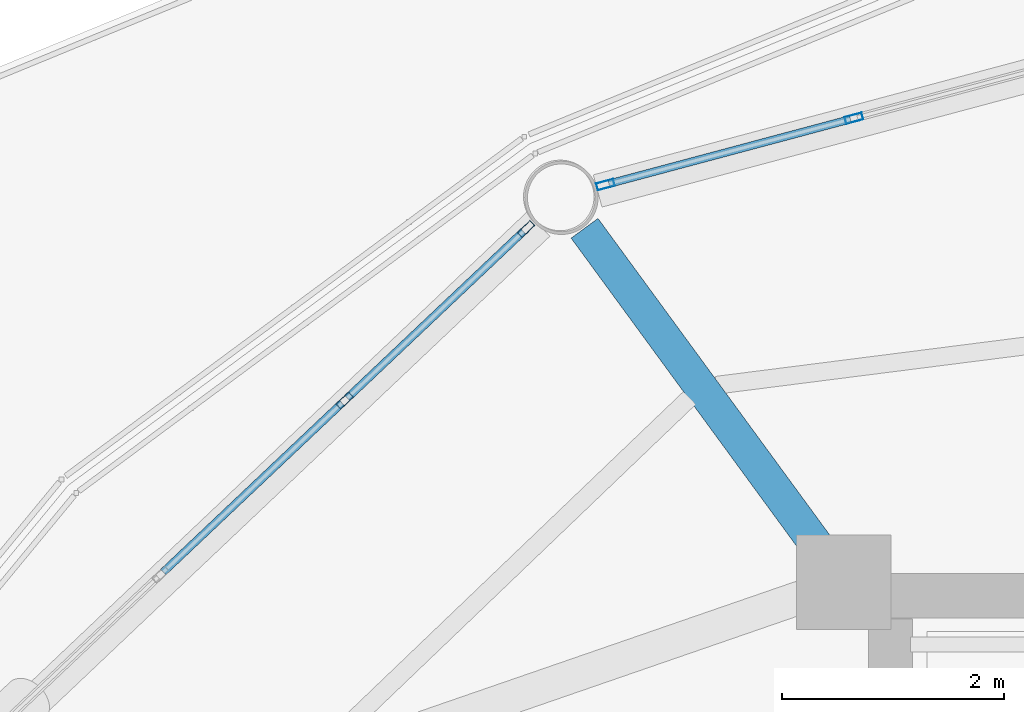
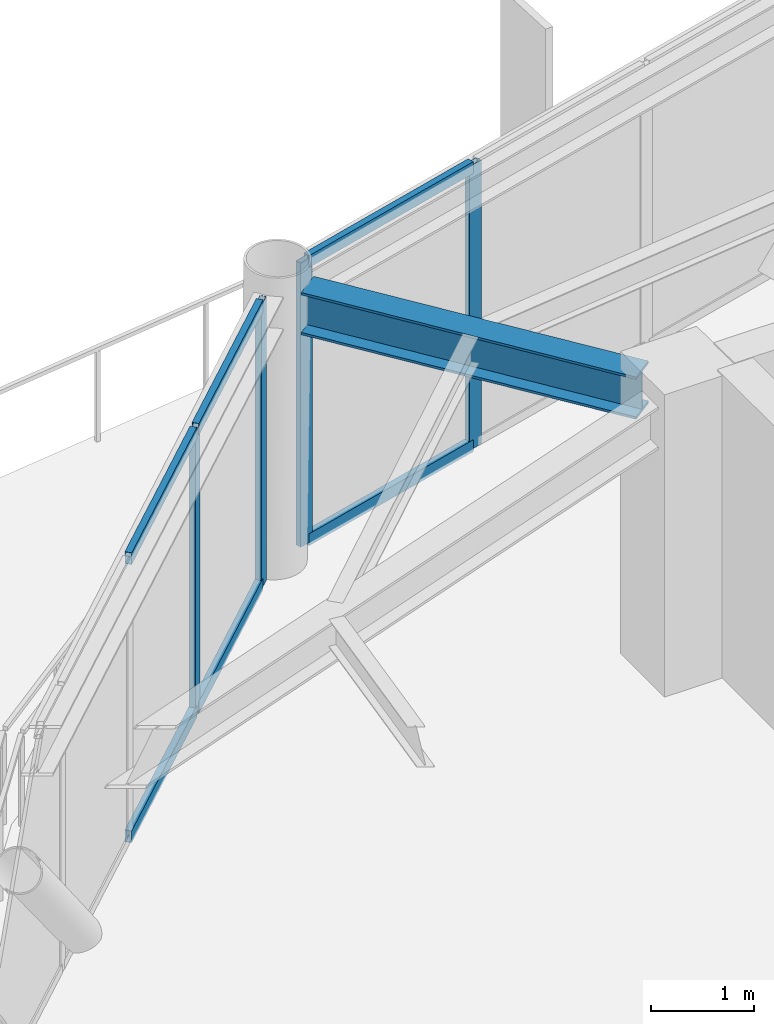
# One storey, part 16 of 25: 10 members, 1 beam, 2 elements without a shape of their own.
"""IFC4 building model written with IfcOpenShell, lengths in metres."""

from ifc_helpers import new_model, si_unit, direction, frame, origin, origin_2d, place, context, subcontext, project, spatial, hollow_rectangle, i_section, extrude, material, layer, layer_set, material_profile, profile_set, type_object, element, aggregate, save


model = new_model("IFC4")

# Units and contexts
model_context = context("Model", 3, precision=1e-05, world=origin(), true_north=direction((0.0, 1.0)))
body_context = subcontext(model_context, "Body", "Model", "MODEL_VIEW")
ifc_project = project(units=[si_unit("LENGTHUNIT", "METRE"), si_unit("AREAUNIT", "SQUARE_METRE"), si_unit("VOLUMEUNIT", "CUBIC_METRE"), si_unit("PLANEANGLEUNIT", "RADIAN"), si_unit("MASSUNIT", "GRAM", prefix="KILO")], contexts=[model_context])

# Site, building, storey
site_placement = place(None, origin())
site = spatial("IfcSite", under=ifc_project, at=site_placement, CompositionType="ELEMENT")
building_placement = place(site_placement, origin())
building = spatial("IfcBuilding", under=site, at=building_placement, Name="Varnakorn Sky Granary", CompositionType="ELEMENT")
storey_placement = place(building_placement, frame((0.0, 0.0, 178.800048828125)))
storey = spatial("IfcBuildingStorey", under=building, at=storey_placement, Name="L44", CompositionType="ELEMENT", Elevation=178.800048828125)

# Beam
ifc_material_1 = material(Name="Steel S355JR", Category="steel")
ifc_material_profile_1 = material_profile(ifc_material_1, i_section(OverallWidth=0.300048828125, OverallDepth=0.5, WebThickness=0.014404296875, FlangeThickness=0.028076171875, at=origin_2d()), Name="HE 500 B")
ifc_profile_set_1 = profile_set([ifc_material_profile_1], Name="Steel S355JR")
beam_type = type_object("IfcBeamType", Name="BM-RAD-Z4", PredefinedType="BEAM", material=ifc_profile_set_1)
beam_placement = place(storey_placement, frame((-2.6591796875, 12.94677734375, 3.10986328125), z_axis=(-0.590706834815, 0.806886259211, 0.0), x_axis=(-0.806886259211, -0.590706834815, 0.0)))
element("IfcBeam", 1, at=beam_placement, inside=storey, type_object=beam_type, Name="Radial Floor Girder RG05 L44", PredefinedType="BEAM", context=body_context, shape_type="SweptSolid", body=[
    extrude(i_section(OverallWidth=0.300048828125, OverallDepth=0.5, WebThickness=0.014404296875, FlangeThickness=0.028076171875, at=origin_2d()), origin(), (0.0, 0.0, 1.0), 3.546142578125),
])

# Curtain wall, members
ifc_material_2 = material(Name="Anodised Bronze Aluminium Alloy 6063-T6", Category="aluminium")
ifc_layer = layer(ifc_material_2, 0.169921875, Name="Anodised Bronze Aluminium Alloy 6063-T6")
ifc_layer_set = layer_set([ifc_layer], Name="Anodised Bronze Aluminium Alloy 6063-T6")
curtain_wall_type = type_object("IfcCurtainWallType", Name="CW-LAB-1", PredefinedType="USERDEFINED", material=ifc_layer_set)
curtain_wall_1_placement = place(storey_placement, origin())
curtain_wall_1 = element("IfcCurtainWall", 2, at=curtain_wall_1_placement, inside=storey, type_object=curtain_wall_type, Name="Unitised Curtain Wall CW5 CW-L44-B04", ObjectType="CURTAIN WALL", PredefinedType="USERDEFINED")
ifc_material_profile_2 = material_profile(ifc_material_2, hollow_rectangle(XDim=0.06494140625, YDim=0.159912109375, WallThickness=0.00341796875, at=origin_2d()), Name="ALU MULL 65x160")
ifc_profile_set_2 = profile_set([ifc_material_profile_2], Name="Anodised Bronze Aluminium Alloy 6063-T6")
member_type_1 = type_object("IfcMemberType", Name="CW-LAB-1-MULL", PredefinedType="MULLION", material=ifc_profile_set_2)
member_1_placement = place(storey_placement, frame((-4.565185546875, 16.20068359375, 0.0), z_axis=(0.0, 0.0, 1.0), x_axis=(-0.258096215547, 0.966119218068, 0.0)))
member_1 = element("IfcMember", 3, at=member_1_placement, type_object=member_type_1, Name="CW5 mullion 1", PredefinedType="MULLION", context=body_context, shape_type="SweptSolid", body=[
    extrude(hollow_rectangle(XDim=0.06494140625, YDim=0.159912109375, WallThickness=0.00341796875, at=origin_2d()), origin(), (0.0, 0.0, 1.0), 3.35986328125),
])
member_2_placement = place(storey_placement, frame((-2.329345703125, 16.798095703125, 0.0), z_axis=(0.0, 0.0, 1.0), x_axis=(-0.258096215547, 0.966119218068, 0.0)))
member_2 = element("IfcMember", 4, at=member_2_placement, type_object=member_type_1, Name="CW5 mullion 2", PredefinedType="MULLION", context=body_context, shape_type="SweptSolid", body=[
    extrude(hollow_rectangle(XDim=0.06494140625, YDim=0.159912109375, WallThickness=0.00341796875, at=origin_2d()), origin(), (0.0, 0.0, 1.0), 3.35986328125),
])

curtain_wall_2_placement = place(storey_placement, origin())
curtain_wall_2 = element("IfcCurtainWall", 5, at=curtain_wall_2_placement, inside=storey, type_object=curtain_wall_type, Name="Unitised Curtain Wall CW5 CW-L44-B05", ObjectType="CURTAIN WALL", PredefinedType="USERDEFINED")
member_3_placement = place(storey_placement, frame((-6.9130859375, 14.25732421875, 0.0), z_axis=(0.0, 0.0, 1.0), x_axis=(-0.687123508986, 0.726540627494, 0.0)))
member_3 = element("IfcMember", 6, at=member_3_placement, type_object=member_type_1, Name="CW5 mullion 4", PredefinedType="MULLION", context=body_context, shape_type="SweptSolid", body=[
    extrude(hollow_rectangle(XDim=0.06494140625, YDim=0.159912109375, WallThickness=0.00341796875, at=origin_2d()), origin(), (0.0, 0.0, 1.0), 3.35986328125),
])
member_4_placement = place(storey_placement, frame((-5.280517578125, 15.80126953125, 0.0), z_axis=(0.0, 0.0, 1.0), x_axis=(-0.687123508986, 0.726540627494, 0.0)))
member_4 = element("IfcMember", 7, at=member_4_placement, type_object=member_type_1, Name="CW5 mullion 5", PredefinedType="MULLION", context=body_context, shape_type="SweptSolid", body=[
    extrude(hollow_rectangle(XDim=0.06494140625, YDim=0.159912109375, WallThickness=0.00341796875, at=origin_2d()), origin(), (0.0, 0.0, 1.0), 3.35986328125),
])

# Member
ifc_material_profile_3 = material_profile(ifc_material_2, hollow_rectangle(XDim=0.070068359375, YDim=0.139892578125, WallThickness=0.00341796875, at=origin_2d()), Name="ALU TRAN 70x140")
ifc_profile_set_3 = profile_set([ifc_material_profile_3], Name="Anodised Bronze Aluminium Alloy 6063-T6")
member_type_2 = type_object("IfcMemberType", Name="CW-LAB-1-TRAN", PredefinedType="USERDEFINED", material=ifc_profile_set_3)
member_5_placement = place(storey_placement, frame((-4.533935546875, 16.208984375, 0.034912109375), z_axis=(0.966123167774, 0.258081430349, 0.0), x_axis=(-0.258081430349, 0.966123167774, 0.0)))
member_5 = element("IfcMember", 8, at=member_5_placement, type_object=member_type_2, Name="CW5 transom 1.1", ObjectType="TRANSOM", PredefinedType="USERDEFINED", context=body_context, shape_type="SweptSolid", body=[
    extrude(hollow_rectangle(XDim=0.070068359375, YDim=0.139892578125, WallThickness=0.00341796875, at=origin_2d()), origin(), (0.0, 0.0, 1.0), 2.24951171875),
])

member_6_placement = place(storey_placement, frame((-4.533935546875, 16.208984375, 3.324951171875), z_axis=(0.966123167774, 0.258081430349, 0.0), x_axis=(-0.258081430349, 0.966123167774, 0.0)))
member_6 = element("IfcMember", 9, at=member_6_placement, type_object=member_type_2, Name="CW5 transom 1.2", ObjectType="TRANSOM", PredefinedType="USERDEFINED", context=body_context, shape_type="SweptSolid", body=[
    extrude(hollow_rectangle(XDim=0.070068359375, YDim=0.139892578125, WallThickness=0.00341796875, at=origin_2d()), origin(), (0.0, 0.0, 1.0), 2.24951171875),
])

aggregate(curtain_wall_1, [member_1, member_2, member_5, member_6])

member_7_placement = place(storey_placement, frame((-8.545654296875, 12.71337890625, 0.034912109375), z_axis=(0.726563601968, 0.687099215758, 0.0), x_axis=(-0.687099215758, 0.726563601968, 0.0)))
member_7 = element("IfcMember", 10, at=member_7_placement, type_object=member_type_2, Name="CW5 transom 3.1", ObjectType="TRANSOM", PredefinedType="USERDEFINED", context=body_context, shape_type="SweptSolid", body=[
    extrude(hollow_rectangle(XDim=0.070068359375, YDim=0.139892578125, WallThickness=0.00341796875, at=origin_2d()), origin(), (0.0, 0.0, 1.0), 2.214599609375),
])

member_8_placement = place(storey_placement, frame((-8.545654296875, 12.71337890625, 3.324951171875), z_axis=(0.726563601968, 0.687099215758, 0.0), x_axis=(-0.687099215758, 0.726563601968, 0.0)))
member_8 = element("IfcMember", 11, at=member_8_placement, type_object=member_type_2, Name="CW5 transom 3.2", ObjectType="TRANSOM", PredefinedType="USERDEFINED", context=body_context, shape_type="SweptSolid", body=[
    extrude(hollow_rectangle(XDim=0.070068359375, YDim=0.139892578125, WallThickness=0.00341796875, at=origin_2d()), origin(), (0.0, 0.0, 1.0), 2.214599609375),
])

member_9_placement = place(storey_placement, frame((-6.889404296875, 14.279541015625, 0.034912109375), z_axis=(0.726469926582, 0.687198257981, 0.0), x_axis=(-0.687198257981, 0.726469926582, 0.0)))
member_9 = element("IfcMember", 12, at=member_9_placement, type_object=member_type_2, Name="CW5 transom 4.1", ObjectType="TRANSOM", PredefinedType="USERDEFINED", context=body_context, shape_type="SweptSolid", body=[
    extrude(hollow_rectangle(XDim=0.070068359375, YDim=0.139892578125, WallThickness=0.00341796875, at=origin_2d()), origin(), (0.0, 0.0, 1.0), 2.18212890625),
])

member_10_placement = place(storey_placement, frame((-6.889404296875, 14.279541015625, 3.324951171875), z_axis=(0.726469926582, 0.687198257981, 0.0), x_axis=(-0.687198257981, 0.726469926582, 0.0)))
member_10 = element("IfcMember", 13, at=member_10_placement, type_object=member_type_2, Name="CW5 transom 4.2", ObjectType="TRANSOM", PredefinedType="USERDEFINED", context=body_context, shape_type="SweptSolid", body=[
    extrude(hollow_rectangle(XDim=0.070068359375, YDim=0.139892578125, WallThickness=0.00341796875, at=origin_2d()), origin(), (0.0, 0.0, 1.0), 2.18212890625),
])

aggregate(curtain_wall_2, [member_3, member_4, member_7, member_8, member_9, member_10])

save(model, "model.ifc")
